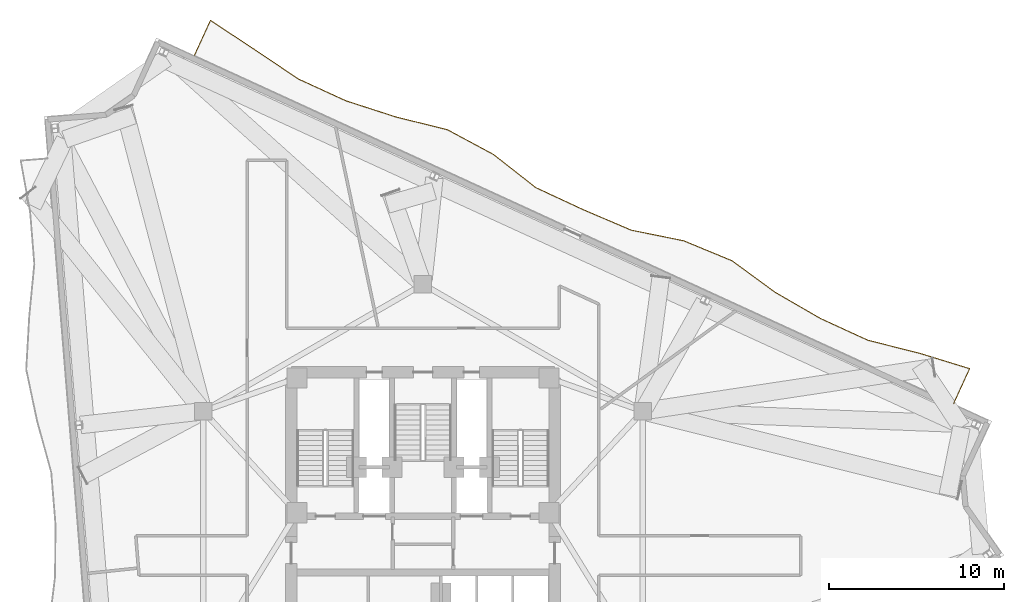
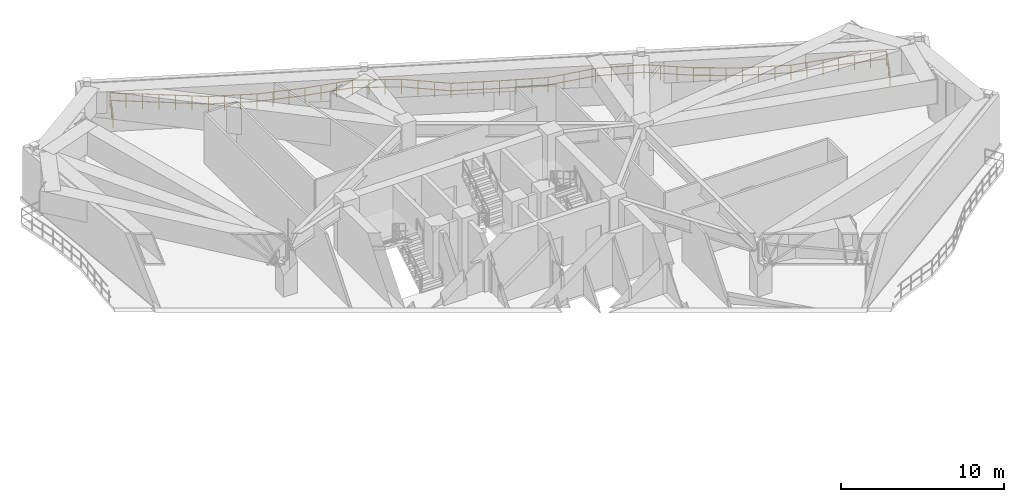
# One storey, part 14 of 14: 1 railing.
"""IFC4 building model written with IfcOpenShell, lengths in metres."""

from ifc_helpers import new_model, si_unit, direction, frame, origin, origin_2d, place, context, subcontext, project, spatial, rectangle, extrude, material, type_object, element, save


model = new_model("IFC4")

# Units and contexts
model_context = context("Model", 3, precision=1e-05, world=origin(), true_north=direction((0.0, 1.0)))
body_context = subcontext(model_context, "Body", "Model", "MODEL_VIEW")
ifc_project = project(units=[si_unit("LENGTHUNIT", "METRE"), si_unit("AREAUNIT", "SQUARE_METRE"), si_unit("VOLUMEUNIT", "CUBIC_METRE"), si_unit("PLANEANGLEUNIT", "RADIAN"), si_unit("MASSUNIT", "GRAM", prefix="KILO")], contexts=[model_context])

# Site, building, storey
site_placement = place(None, origin())
site = spatial("IfcSite", under=ifc_project, at=site_placement, CompositionType="ELEMENT")
building_placement = place(site_placement, origin())
building = spatial("IfcBuilding", under=site, at=building_placement, Name="Apsidion Concourse Tower", CompositionType="ELEMENT")
storey_placement = place(building_placement, frame((0.0, 0.0, 222.89990234375)))
storey = spatial("IfcBuildingStorey", under=building, at=storey_placement, Name="L52", CompositionType="ELEMENT", Elevation=222.89990234375)

# Railing
ifc_material = material(Name="Brushed stainless steel 316", Category="steel")
railing_type = type_object("IfcRailingType", Name="RL-BAL-1120", PredefinedType="BALUSTRADE", material=ifc_material)
railing_placement = place(storey_placement, frame((-13.060546875, 27.586181640625, 0.0)))
element("IfcRailing", 1, at=railing_placement, inside=storey, type_object=railing_type, Name="L52 Face 3 Rippling Balcony Balustrade", PredefinedType="BALUSTRADE", context=body_context, shape_type="SweptSolid", body=[
    extrude(rectangle(XDim=0.048095703125, YDim=0.048095703125, at=origin_2d()), frame((0.0, 0.0, 1.09619140625), z_axis=(0.416949405798, 0.908929696404, 0.0), x_axis=(-0.908929696404, 0.416949405798, 0.0)), (0.0, 0.0, 1.0), 2.1962890625),
    extrude(rectangle(XDim=0.048095703125, YDim=0.048095703125, at=origin_2d()), frame((0.0, 0.0, 0.5361328125), z_axis=(0.416949405798, 0.908929696404, 0.0), x_axis=(-0.908929696404, 0.416949405798, 0.0)), (0.0, 0.0, 1.0), 2.1962890625),
    extrude(rectangle(XDim=0.048095703125, YDim=0.048095703125, at=origin_2d()), frame((0.915771484375, 1.996337890625, 1.09619140625), z_axis=(0.835000441288, -0.550249273556, 0.0), x_axis=(0.550249273556, 0.835000441288, 0.0)), (0.0, 0.0, 1.0), 3.01806640625),
    extrude(rectangle(XDim=0.048095703125, YDim=0.048095703125, at=origin_2d()), frame((0.915771484375, 1.996337890625, 0.5361328125), z_axis=(0.835000441288, -0.550249273556, 0.0), x_axis=(0.550249273556, 0.835000441288, 0.0)), (0.0, 0.0, 1.0), 3.01806640625),
    extrude(rectangle(XDim=0.048095703125, YDim=0.048095703125, at=origin_2d()), frame((3.435791015625, 0.335693359375, 1.09619140625), z_axis=(0.829794200851, -0.558069515592, 0.0), x_axis=(0.558069515592, 0.829794200851, 0.0)), (0.0, 0.0, 1.0), 3.0224609375),
    extrude(rectangle(XDim=0.048095703125, YDim=0.048095703125, at=origin_2d()), frame((3.435791015625, 0.335693359375, 0.5361328125), z_axis=(0.829794200851, -0.558069515592, 0.0), x_axis=(0.558069515592, 0.829794200851, 0.0)), (0.0, 0.0, 1.0), 3.0224609375),
    extrude(rectangle(XDim=0.048095703125, YDim=0.048095703125, at=origin_2d()), frame((5.94384765625, -1.35107421875, 1.09619140625), z_axis=(0.908903293118, -0.417006958887, 0.0), x_axis=(0.417006958887, 0.908903293118, 0.0)), (0.0, 0.0, 1.0), 2.98291015625),
    extrude(rectangle(XDim=0.048095703125, YDim=0.048095703125, at=origin_2d()), frame((5.94384765625, -1.35107421875, 0.5361328125), z_axis=(0.908903293118, -0.417006958887, 0.0), x_axis=(0.417006958887, 0.908903293118, 0.0)), (0.0, 0.0, 1.0), 2.98291015625),
    extrude(rectangle(XDim=0.048095703125, YDim=0.048095703125, at=origin_2d()), frame((8.655029296875, -2.594970703125, 1.09619140625), z_axis=(0.951529198175, -0.307558425377, 0.0), x_axis=(0.307558425377, 0.951529198175, 0.0)), (0.0, 0.0, 1.0), 3.003662109375),
    extrude(rectangle(XDim=0.048095703125, YDim=0.048095703125, at=origin_2d()), frame((8.655029296875, -2.594970703125, 0.5361328125), z_axis=(0.951529198175, -0.307558425377, 0.0), x_axis=(0.307558425377, 0.951529198175, 0.0)), (0.0, 0.0, 1.0), 3.003662109375),
    extrude(rectangle(XDim=0.048095703125, YDim=0.048095703125, at=origin_2d()), frame((11.51318359375, -3.518798828125, 1.09619140625), z_axis=(0.970665276415, -0.240434858461, 0.0), x_axis=(0.240434858461, 0.970665276415, 0.0)), (0.0, 0.0, 1.0), 3.0361328125),
    extrude(rectangle(XDim=0.048095703125, YDim=0.048095703125, at=origin_2d()), frame((11.51318359375, -3.518798828125, 0.5361328125), z_axis=(0.970665276415, -0.240434858461, 0.0), x_axis=(0.240434858461, 0.970665276415, 0.0)), (0.0, 0.0, 1.0), 3.0361328125),
    extrude(rectangle(XDim=0.048095703125, YDim=0.048095703125, at=origin_2d()), frame((14.460205078125, -4.248779296875, 1.09619140625), z_axis=(0.880699183977, -0.473675994053, 0.0), x_axis=(0.473675994053, 0.880699183977, 0.0)), (0.0, 0.0, 1.0), 2.989013671875),
    extrude(rectangle(XDim=0.048095703125, YDim=0.048095703125, at=origin_2d()), frame((14.460205078125, -4.248779296875, 0.5361328125), z_axis=(0.880699183977, -0.473675994053, 0.0), x_axis=(0.473675994053, 0.880699183977, 0.0)), (0.0, 0.0, 1.0), 2.989013671875),
    extrude(rectangle(XDim=0.048095703125, YDim=0.048095703125, at=origin_2d()), frame((17.092529296875, -5.66455078125, 1.09619140625), z_axis=(0.787273135552, -0.616604419412, 0.0), x_axis=(0.616604419412, 0.787273135552, 0.0)), (0.0, 0.0, 1.0), 3.06689453125),
    extrude(rectangle(XDim=0.048095703125, YDim=0.048095703125, at=origin_2d()), frame((17.092529296875, -5.66455078125, 0.5361328125), z_axis=(0.787273135552, -0.616604419412, 0.0), x_axis=(0.616604419412, 0.787273135552, 0.0)), (0.0, 0.0, 1.0), 3.06689453125),
    extrude(rectangle(XDim=0.048095703125, YDim=0.048095703125, at=origin_2d()), frame((19.507080078125, -7.5556640625, 1.09619140625), z_axis=(0.906753133727, -0.421661895926, 0.0), x_axis=(0.421661895926, 0.906753133727, 0.0)), (0.0, 0.0, 1.0), 2.98291015625),
    extrude(rectangle(XDim=0.048095703125, YDim=0.048095703125, at=origin_2d()), frame((19.507080078125, -7.5556640625, 0.5361328125), z_axis=(0.906753133727, -0.421661895926, 0.0), x_axis=(0.421661895926, 0.906753133727, 0.0)), (0.0, 0.0, 1.0), 2.98291015625),
    extrude(rectangle(XDim=0.048095703125, YDim=0.048095703125, at=origin_2d()), frame((22.2119140625, -8.8134765625, 1.09619140625), z_axis=(0.919723818564, -0.392566042298, 0.0), x_axis=(0.392566042298, 0.919723818564, 0.0)), (0.0, 0.0, 1.0), 2.98388671875),
    extrude(rectangle(XDim=0.048095703125, YDim=0.048095703125, at=origin_2d()), frame((22.2119140625, -8.8134765625, 0.5361328125), z_axis=(0.919723818564, -0.392566042298, 0.0), x_axis=(0.392566042298, 0.919723818564, 0.0)), (0.0, 0.0, 1.0), 2.98388671875),
    extrude(rectangle(XDim=0.048095703125, YDim=0.048095703125, at=origin_2d()), frame((24.956298828125, -9.98486328125, 1.09619140625), z_axis=(0.980018884016, -0.198904466946, 0.0), x_axis=(0.198904466946, 0.980018884016, 0.0)), (0.0, 0.0, 1.0), 3.063720703125),
    extrude(rectangle(XDim=0.048095703125, YDim=0.048095703125, at=origin_2d()), frame((24.956298828125, -9.98486328125, 0.5361328125), z_axis=(0.980018884016, -0.198904466946, 0.0), x_axis=(0.198904466946, 0.980018884016, 0.0)), (0.0, 0.0, 1.0), 3.063720703125),
    extrude(rectangle(XDim=0.048095703125, YDim=0.048095703125, at=origin_2d()), frame((27.958740234375, -10.59423828125, 1.09619140625), z_axis=(0.924214994445, -0.381872549475, 0.0), x_axis=(0.381872549475, 0.924214994445, 0.0)), (0.0, 0.0, 1.0), 2.985107421875),
    extrude(rectangle(XDim=0.048095703125, YDim=0.048095703125, at=origin_2d()), frame((27.958740234375, -10.59423828125, 0.5361328125), z_axis=(0.924214994445, -0.381872549475, 0.0), x_axis=(0.381872549475, 0.924214994445, 0.0)), (0.0, 0.0, 1.0), 2.985107421875),
    extrude(rectangle(XDim=0.048095703125, YDim=0.048095703125, at=origin_2d()), frame((30.717529296875, -11.734130859375, 1.09619140625), z_axis=(0.807120719974, -0.590386435641, 0.0), x_axis=(0.590386435641, 0.807120719974, 0.0)), (0.0, 0.0, 1.0), 3.044677734375),
    extrude(rectangle(XDim=0.048095703125, YDim=0.048095703125, at=origin_2d()), frame((30.717529296875, -11.734130859375, 0.5361328125), z_axis=(0.807120719974, -0.590386435641, 0.0), x_axis=(0.590386435641, 0.807120719974, 0.0)), (0.0, 0.0, 1.0), 3.044677734375),
    extrude(rectangle(XDim=0.048095703125, YDim=0.048095703125, at=origin_2d()), frame((33.175048828125, -13.53173828125, 1.09619140625), z_axis=(0.865573150833, -0.500782508238, 0.0), x_axis=(0.500782508238, 0.865573150833, 0.0)), (0.0, 0.0, 1.0), 2.996337890625),
    extrude(rectangle(XDim=0.048095703125, YDim=0.048095703125, at=origin_2d()), frame((33.175048828125, -13.53173828125, 0.5361328125), z_axis=(0.865573150833, -0.500782508238, 0.0), x_axis=(0.500782508238, 0.865573150833, 0.0)), (0.0, 0.0, 1.0), 2.996337890625),
    extrude(rectangle(XDim=0.048095703125, YDim=0.048095703125, at=origin_2d()), frame((35.7685546875, -15.0322265625, 1.09619140625), z_axis=(0.908903293118, -0.417006958887, 0.0), x_axis=(0.417006958887, 0.908903293118, 0.0)), (0.0, 0.0, 1.0), 2.98291015625),
    extrude(rectangle(XDim=0.048095703125, YDim=0.048095703125, at=origin_2d()), frame((35.7685546875, -15.0322265625, 0.5361328125), z_axis=(0.908903293118, -0.417006958887, 0.0), x_axis=(0.417006958887, 0.908903293118, 0.0)), (0.0, 0.0, 1.0), 2.98291015625),
    extrude(rectangle(XDim=0.048095703125, YDim=0.048095703125, at=origin_2d()), frame((38.479736328125, -16.276123046875, 1.09619140625), z_axis=(0.9696959008, -0.244315083388, 0.0), x_axis=(0.244315083388, 0.9696959008, 0.0)), (0.0, 0.0, 1.0), 3.033935546875),
    extrude(rectangle(XDim=0.048095703125, YDim=0.048095703125, at=origin_2d()), frame((38.479736328125, -16.276123046875, 0.5361328125), z_axis=(0.9696959008, -0.244315083388, 0.0), x_axis=(0.244315083388, 0.9696959008, 0.0)), (0.0, 0.0, 1.0), 3.033935546875),
    extrude(rectangle(XDim=0.048095703125, YDim=0.048095703125, at=origin_2d()), frame((41.421630859375, -17.017333984375, 1.09619140625), z_axis=(0.956003255253, -0.293356056602, 0.0), x_axis=(0.293356056602, 0.956003255253, 0.0)), (0.0, 0.0, 1.0), 3.00927734375),
    extrude(rectangle(XDim=0.048095703125, YDim=0.048095703125, at=origin_2d()), frame((41.421630859375, -17.017333984375, 0.5361328125), z_axis=(0.956003255253, -0.293356056602, 0.0), x_axis=(0.293356056602, 0.956003255253, 0.0)), (0.0, 0.0, 1.0), 3.00927734375),
    extrude(rectangle(XDim=0.048095703125, YDim=0.048095703125, at=origin_2d()), frame((44.298583984375, -17.900146484375, 1.09619140625), z_axis=(-0.416952758408, -0.908928158468, 0.0), x_axis=(0.908928158468, -0.416952758408, 0.0)), (0.0, 0.0, 1.0), 2.199951171875),
    extrude(rectangle(XDim=0.048095703125, YDim=0.048095703125, at=origin_2d()), frame((44.298583984375, -17.900146484375, 0.5361328125), z_axis=(-0.416952758408, -0.908928158468, 0.0), x_axis=(0.908928158468, -0.416952758408, 0.0)), (0.0, 0.0, 1.0), 2.199951171875),
    extrude(rectangle(XDim=0.0419921875, YDim=0.0419921875, at=origin_2d()), origin(), (0.0, 0.0, 1.0), 1.072021484375),
    extrude(rectangle(XDim=0.0419921875, YDim=0.0419921875, at=origin_2d()), frame((0.4580078125, 0.998046875, 0.0)), (0.0, 0.0, 1.0), 1.072021484375),
    extrude(rectangle(XDim=0.0419921875, YDim=0.0419921875, at=origin_2d()), frame((0.915771484375, 1.996337890625, 0.0)), (0.0, 0.0, 1.0), 1.072021484375),
    extrude(rectangle(XDim=0.0419921875, YDim=0.0419921875, at=origin_2d()), frame((1.755859375, 1.44287109375, 0.0)), (0.0, 0.0, 1.0), 1.072021484375),
    extrude(rectangle(XDim=0.0419921875, YDim=0.0419921875, at=origin_2d()), frame((2.595703125, 0.88916015625, 0.0)), (0.0, 0.0, 1.0), 1.072021484375),
    extrude(rectangle(XDim=0.0419921875, YDim=0.0419921875, at=origin_2d()), frame((3.435791015625, 0.335693359375, 0.0)), (0.0, 0.0, 1.0), 1.072021484375),
    extrude(rectangle(XDim=0.0419921875, YDim=0.0419921875, at=origin_2d()), frame((4.271728515625, -0.2265625, 0.0)), (0.0, 0.0, 1.0), 1.072021484375),
    extrude(rectangle(XDim=0.0419921875, YDim=0.0419921875, at=origin_2d()), frame((5.10791015625, -0.788818359375, 0.0)), (0.0, 0.0, 1.0), 1.072021484375),
    extrude(rectangle(XDim=0.0419921875, YDim=0.0419921875, at=origin_2d()), frame((5.94384765625, -1.35107421875, 0.0)), (0.0, 0.0, 1.0), 1.072021484375),
    extrude(rectangle(XDim=0.0419921875, YDim=0.0419921875, at=origin_2d()), frame((6.84765625, -1.765625, 0.0)), (0.0, 0.0, 1.0), 1.072021484375),
    extrude(rectangle(XDim=0.0419921875, YDim=0.0419921875, at=origin_2d()), frame((7.751220703125, -2.180419921875, 0.0)), (0.0, 0.0, 1.0), 1.072021484375),
    extrude(rectangle(XDim=0.0419921875, YDim=0.0419921875, at=origin_2d()), frame((8.655029296875, -2.594970703125, 0.0)), (0.0, 0.0, 1.0), 1.072021484375),
    extrude(rectangle(XDim=0.0419921875, YDim=0.0419921875, at=origin_2d()), frame((9.607666015625, -2.90283203125, 0.0)), (0.0, 0.0, 1.0), 1.072021484375),
    extrude(rectangle(XDim=0.0419921875, YDim=0.0419921875, at=origin_2d()), frame((10.560546875, -3.2109375, 0.0)), (0.0, 0.0, 1.0), 1.072021484375),
    extrude(rectangle(XDim=0.0419921875, YDim=0.0419921875, at=origin_2d()), frame((11.51318359375, -3.518798828125, 0.0)), (0.0, 0.0, 1.0), 1.072021484375),
    extrude(rectangle(XDim=0.0419921875, YDim=0.0419921875, at=origin_2d()), frame((12.49560546875, -3.76220703125, 0.0)), (0.0, 0.0, 1.0), 1.072021484375),
    extrude(rectangle(XDim=0.0419921875, YDim=0.0419921875, at=origin_2d()), frame((13.477783203125, -4.00537109375, 0.0)), (0.0, 0.0, 1.0), 1.072021484375),
    extrude(rectangle(XDim=0.0419921875, YDim=0.0419921875, at=origin_2d()), frame((14.460205078125, -4.248779296875, 0.0)), (0.0, 0.0, 1.0), 1.072021484375),
    extrude(rectangle(XDim=0.0419921875, YDim=0.0419921875, at=origin_2d()), frame((15.337646484375, -4.720703125, 0.0)), (0.0, 0.0, 1.0), 1.072021484375),
    extrude(rectangle(XDim=0.0419921875, YDim=0.0419921875, at=origin_2d()), frame((16.215087890625, -5.192626953125, 0.0)), (0.0, 0.0, 1.0), 1.072021484375),
    extrude(rectangle(XDim=0.0419921875, YDim=0.0419921875, at=origin_2d()), frame((17.092529296875, -5.66455078125, 0.0)), (0.0, 0.0, 1.0), 1.072021484375),
    extrude(rectangle(XDim=0.0419921875, YDim=0.0419921875, at=origin_2d()), frame((17.8974609375, -6.294921875, 0.0)), (0.0, 0.0, 1.0), 1.072021484375),
    extrude(rectangle(XDim=0.0419921875, YDim=0.0419921875, at=origin_2d()), frame((18.7021484375, -6.92529296875, 0.0)), (0.0, 0.0, 1.0), 1.072021484375),
    extrude(rectangle(XDim=0.0419921875, YDim=0.0419921875, at=origin_2d()), frame((19.507080078125, -7.5556640625, 0.0)), (0.0, 0.0, 1.0), 1.072021484375),
    extrude(rectangle(XDim=0.0419921875, YDim=0.0419921875, at=origin_2d()), frame((20.40869140625, -7.974853515625, 0.0)), (0.0, 0.0, 1.0), 1.072021484375),
    extrude(rectangle(XDim=0.0419921875, YDim=0.0419921875, at=origin_2d()), frame((21.310302734375, -8.394287109375, 0.0)), (0.0, 0.0, 1.0), 1.072021484375),
    extrude(rectangle(XDim=0.0419921875, YDim=0.0419921875, at=origin_2d()), frame((22.2119140625, -8.8134765625, 0.0)), (0.0, 0.0, 1.0), 1.072021484375),
    extrude(rectangle(XDim=0.0419921875, YDim=0.0419921875, at=origin_2d()), frame((23.126708984375, -9.203857421875, 0.0)), (0.0, 0.0, 1.0), 1.072021484375),
    extrude(rectangle(XDim=0.0419921875, YDim=0.0419921875, at=origin_2d()), frame((24.04150390625, -9.594482421875, 0.0)), (0.0, 0.0, 1.0), 1.072021484375),
    extrude(rectangle(XDim=0.0419921875, YDim=0.0419921875, at=origin_2d()), frame((24.956298828125, -9.98486328125, 0.0)), (0.0, 0.0, 1.0), 1.072021484375),
    extrude(rectangle(XDim=0.0419921875, YDim=0.0419921875, at=origin_2d()), frame((25.95703125, -10.18798828125, 0.0)), (0.0, 0.0, 1.0), 1.072021484375),
    extrude(rectangle(XDim=0.0419921875, YDim=0.0419921875, at=origin_2d()), frame((26.9580078125, -10.39111328125, 0.0)), (0.0, 0.0, 1.0), 1.072021484375),
    extrude(rectangle(XDim=0.0419921875, YDim=0.0419921875, at=origin_2d()), frame((27.958740234375, -10.59423828125, 0.0)), (0.0, 0.0, 1.0), 1.072021484375),
    extrude(rectangle(XDim=0.0419921875, YDim=0.0419921875, at=origin_2d()), frame((28.87841796875, -10.97412109375, 0.0)), (0.0, 0.0, 1.0), 1.072021484375),
    extrude(rectangle(XDim=0.0419921875, YDim=0.0419921875, at=origin_2d()), frame((29.7978515625, -11.354248046875, 0.0)), (0.0, 0.0, 1.0), 1.072021484375),
    extrude(rectangle(XDim=0.0419921875, YDim=0.0419921875, at=origin_2d()), frame((30.717529296875, -11.734130859375, 0.0)), (0.0, 0.0, 1.0), 1.072021484375),
    extrude(rectangle(XDim=0.0419921875, YDim=0.0419921875, at=origin_2d()), frame((31.53662109375, -12.333251953125, 0.0)), (0.0, 0.0, 1.0), 1.072021484375),
    extrude(rectangle(XDim=0.0419921875, YDim=0.0419921875, at=origin_2d()), frame((32.35595703125, -12.9326171875, 0.0)), (0.0, 0.0, 1.0), 1.072021484375),
    extrude(rectangle(XDim=0.0419921875, YDim=0.0419921875, at=origin_2d()), frame((33.175048828125, -13.53173828125, 0.0)), (0.0, 0.0, 1.0), 1.072021484375),
    extrude(rectangle(XDim=0.0419921875, YDim=0.0419921875, at=origin_2d()), frame((34.03955078125, -14.031982421875, 0.0)), (0.0, 0.0, 1.0), 1.072021484375),
    extrude(rectangle(XDim=0.0419921875, YDim=0.0419921875, at=origin_2d()), frame((34.904052734375, -14.531982421875, 0.0)), (0.0, 0.0, 1.0), 1.072021484375),
    extrude(rectangle(XDim=0.0419921875, YDim=0.0419921875, at=origin_2d()), frame((35.7685546875, -15.0322265625, 0.0)), (0.0, 0.0, 1.0), 1.072021484375),
    extrude(rectangle(XDim=0.0419921875, YDim=0.0419921875, at=origin_2d()), frame((36.67236328125, -15.44677734375, 0.0)), (0.0, 0.0, 1.0), 1.072021484375),
    extrude(rectangle(XDim=0.0419921875, YDim=0.0419921875, at=origin_2d()), frame((37.575927734375, -15.861572265625, 0.0)), (0.0, 0.0, 1.0), 1.072021484375),
    extrude(rectangle(XDim=0.0419921875, YDim=0.0419921875, at=origin_2d()), frame((38.479736328125, -16.276123046875, 0.0)), (0.0, 0.0, 1.0), 1.072021484375),
    extrude(rectangle(XDim=0.0419921875, YDim=0.0419921875, at=origin_2d()), frame((39.46044921875, -16.523193359375, 0.0)), (0.0, 0.0, 1.0), 1.072021484375),
    extrude(rectangle(XDim=0.0419921875, YDim=0.0419921875, at=origin_2d()), frame((40.44091796875, -16.770263671875, 0.0)), (0.0, 0.0, 1.0), 1.072021484375),
    extrude(rectangle(XDim=0.0419921875, YDim=0.0419921875, at=origin_2d()), frame((41.421630859375, -17.017333984375, 0.0)), (0.0, 0.0, 1.0), 1.072021484375),
    extrude(rectangle(XDim=0.0419921875, YDim=0.0419921875, at=origin_2d()), frame((42.380615234375, -17.3115234375, 0.0)), (0.0, 0.0, 1.0), 1.072021484375),
    extrude(rectangle(XDim=0.0419921875, YDim=0.0419921875, at=origin_2d()), frame((43.339599609375, -17.60595703125, 0.0)), (0.0, 0.0, 1.0), 1.072021484375),
    extrude(rectangle(XDim=0.0419921875, YDim=0.0419921875, at=origin_2d()), frame((44.298583984375, -17.900146484375, 0.0)), (0.0, 0.0, 1.0), 1.072021484375),
    extrude(rectangle(XDim=0.0419921875, YDim=0.0419921875, at=origin_2d()), frame((43.83984375, -18.89990234375, 0.0)), (0.0, 0.0, 1.0), 1.072021484375),
    extrude(rectangle(XDim=0.0419921875, YDim=0.0419921875, at=origin_2d()), frame((43.38134765625, -19.899658203125, 0.0)), (0.0, 0.0, 1.0), 1.072021484375),
])

save(model, "model.ifc")
